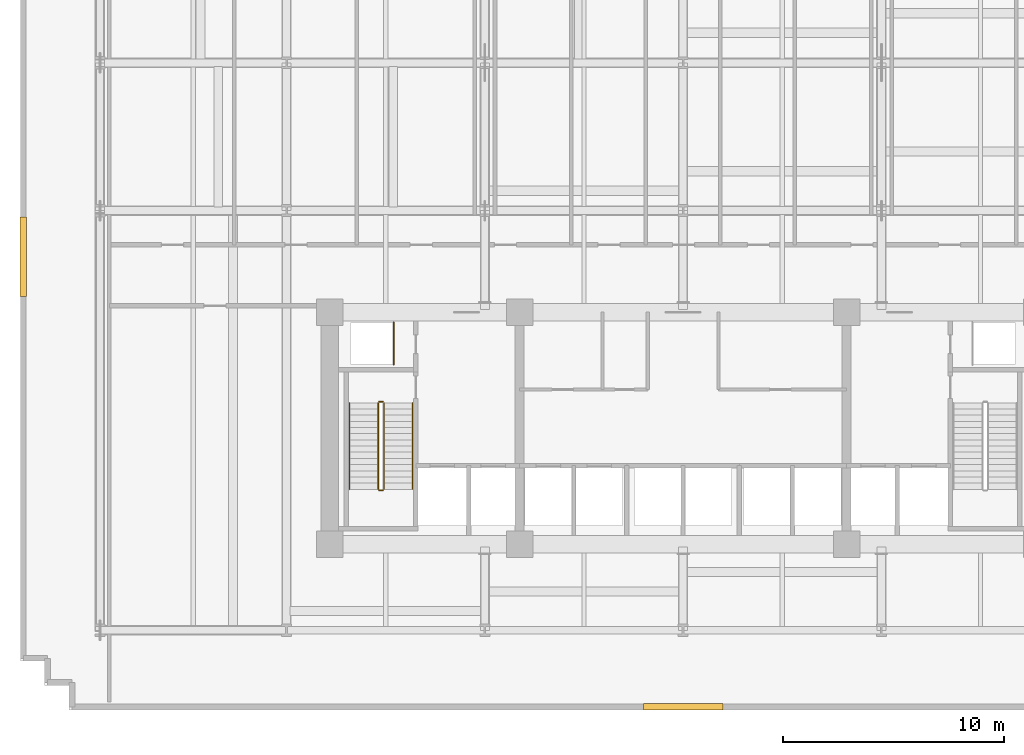
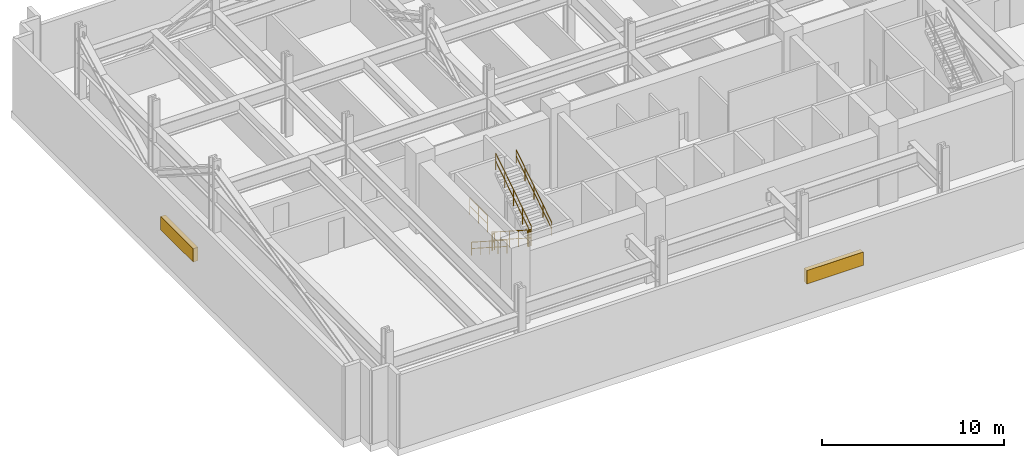
# One storey, part 8 of 9: 7 railings, 2 shading devices.
"""IFC4 building model written with IfcOpenShell, lengths in metres."""

import ifcopenshell
import ifcopenshell.guid

model = None  # the IFC model being written
_history = None  # IfcOwnerHistory: only IFC2X3 demands one
_inside = {}  # id of a spatial element -> (the spatial element, [elements in it])
_under = {}  # id of a project, library or spatial element -> (it, [spatial elements below it])
_declared = {}  # id of a project -> (the project, [libraries it declares])
_typed = {}  # id of a type object -> (the type object, [elements of that type])
_made_of = {}  # id of a material, layer set ... -> (it, [elements and type objects made of it])


def new_model(schema):
    """Start an empty IFC model of exactly this schema.

    Asked for "IFC4X3", IfcOpenShell would pick the latest addendum, in which some entities
    have other attributes; the version numbers below select the first issue.
    IFC2X3 requires an IfcOwnerHistory on every rooted entity: one is made here for all.
    """
    global model, _history
    if schema == "IFC4X3":
        model = ifcopenshell.file(schema_version=(4, 3, 0, 0))
    else:
        model = ifcopenshell.file(schema=schema)
    _inside.clear()
    _under.clear()
    _declared.clear()
    _typed.clear()
    _made_of.clear()
    _history = None
    if model.schema == "IFC2X3":
        org = make("IfcOrganization", Name="unknown")
        user = make(
            "IfcPersonAndOrganization",
            ThePerson=make("IfcPerson", FamilyName="unknown"),
            TheOrganization=org,
        )
        app = make(
            "IfcApplication",
            ApplicationDeveloper=org,
            Version="unknown",
            ApplicationFullName="unknown",
            ApplicationIdentifier="unknown",
        )
        _history = make(
            "IfcOwnerHistory",
            OwningUser=user,
            OwningApplication=app,
            ChangeAction="ADDED",
            CreationDate=0,
        )
    return model


def make(cls, **values):
    """One entity of the class cls with the attributes given. An attribute that is None is left unset."""
    return model.create_entity(
        cls, **{name: value for name, value in values.items() if value is not None}
    )


def rooted(cls, **values):
    """An entity with a GlobalId (a new one), such as an element, a storey or a relation."""
    return make(cls, GlobalId=ifcopenshell.guid.new(), OwnerHistory=_history, **values)


def si_unit(unit_type, name, prefix=None):
    """IfcSIUnit, for example si_unit("LENGTHUNIT", "METRE", prefix="MILLI")."""
    return make("IfcSIUnit", UnitType=unit_type, Prefix=prefix, Name=name)


def assignment(units):
    """IfcUnitAssignment: the units of a project."""
    return None if units is None else make("IfcUnitAssignment", Units=units)


def point(xyz):
    """IfcCartesianPoint."""
    return None if xyz is None else make("IfcCartesianPoint", Coordinates=xyz)


def direction(xyz):
    """IfcDirection."""
    return None if xyz is None else make("IfcDirection", DirectionRatios=xyz)


def frame(location, z_axis=None, x_axis=None):
    """IfcAxis2Placement3D, a coordinate frame: its origin and axes. An axis left out is left unset."""
    return make(
        "IfcAxis2Placement3D",
        Location=point(location),
        Axis=direction(z_axis),
        RefDirection=direction(x_axis),
    )


def frame_2d(location, x_axis=None):
    """IfcAxis2Placement2D, a coordinate frame in the plane: its origin and x axis."""
    return make(
        "IfcAxis2Placement2D", Location=point(location), RefDirection=direction(x_axis)
    )


def origin():
    """The frame at (0, 0, 0) with its axes left unset."""
    return frame((0.0, 0.0, 0.0))


def origin_2d():
    """The frame at (0, 0) in the plane with its x axis left unset."""
    return frame_2d((0.0, 0.0))


def place(relative_to, where):
    """IfcLocalPlacement: puts the frame where relative to a parent placement (None: the world)."""
    return make(
        "IfcLocalPlacement", PlacementRelTo=relative_to, RelativePlacement=where
    )


def context(
    kind, dimensions, precision=None, world=None, true_north=None, identifier=None
):
    """IfcGeometricRepresentationContext, for example the 3D "Model" context."""
    return make(
        "IfcGeometricRepresentationContext",
        ContextIdentifier=identifier,
        ContextType=kind,
        CoordinateSpaceDimension=dimensions,
        Precision=precision,
        WorldCoordinateSystem=world,
        TrueNorth=true_north,
    )


def subcontext(parent, identifier, kind, view, scale=None):
    """IfcGeometricRepresentationSubContext, for example "Body" below "Model"."""
    return make(
        "IfcGeometricRepresentationSubContext",
        ContextIdentifier=identifier,
        ContextType=kind,
        ParentContext=parent,
        TargetScale=scale,
        TargetView=view,
    )


def project(units=None, contexts=None):
    """IfcProject with its units and contexts."""
    return rooted(
        "IfcProject",
        Name="project",
        RepresentationContexts=contexts,
        UnitsInContext=assignment(units),
    )


def spatial(cls, under=None, at=None, **own):
    """A site, building, storey or space (cls), placed at a placement, below another one or the project."""
    s = rooted(cls, ObjectPlacement=at, **own)
    if under is not None:
        _under.setdefault(under.id(), (under, []))[1].append(s)
    return s


def profile(cls, at=None, kind="AREA", **sizes):
    """A parametric profile (cls). Its sizes go by their IFC names, for example OverallWidth=200.0."""
    return make(cls, ProfileType=kind, Position=at, **sizes)


def rectangle(**sizes):
    """IfcRectangleProfileDef."""
    return profile("IfcRectangleProfileDef", **sizes)


def circle(**sizes):
    """IfcCircleProfileDef."""
    return profile("IfcCircleProfileDef", **sizes)


def extrude(swept, where, along, depth):
    """IfcExtrudedAreaSolid: the profile swept, set in the frame where, extruded along a direction by depth."""
    return make(
        "IfcExtrudedAreaSolid",
        SweptArea=swept,
        Position=where,
        ExtrudedDirection=direction(along),
        Depth=depth,
    )


def shape(context_of_items, identifier, shape_type, items):
    """IfcShapeRepresentation: the items that make up one representation, for example the "Body"."""
    return make(
        "IfcShapeRepresentation",
        ContextOfItems=context_of_items,
        RepresentationIdentifier=identifier,
        RepresentationType=shape_type,
        Items=items,
    )


def material(Name=None, Category=None):
    """IfcMaterial."""
    return make("IfcMaterial", Name=Name, Category=Category)


def layer(
    of_material, thickness, ventilated=None, Name=None, Category=None, Priority=None
):
    """IfcMaterialLayer: one layer of a wall or slab, of a material (None: an air gap)."""
    return make(
        "IfcMaterialLayer",
        Material=of_material,
        LayerThickness=thickness,
        IsVentilated=ventilated,
        Name=Name,
        Category=Category,
        Priority=Priority,
    )


def layer_set(layers, Name=None):
    """IfcMaterialLayerSet."""
    return make("IfcMaterialLayerSet", MaterialLayers=layers, LayerSetName=Name)


def made_of(thing, what):
    """Note that an element or type object is made of a material, layer set ...; save() writes the relation."""
    if what is not None:
        _made_of.setdefault(what.id(), (what, []))[1].append(thing)
    return thing


def type_object(cls, material=None, **own):
    """A type object (cls), such as IfcWallType, which elements share."""
    return made_of(rooted(cls, **own), material)


def element(
    cls,
    number,
    at=None,
    inside=None,
    cuts=None,
    type_object=None,
    material=None,
    context=None,
    identifier="Body",
    shape_type=None,
    held_by="IfcProductDefinitionShape",
    body=None,
    shapes=None,
    **own,
):
    """One element of the class cls, such as IfcWall. Its Tag is "e" and its number.

    at: its placement. inside: the storey or other place that contains it. cuts: it is an
    opening in that element (IfcRelVoidsElement). A single representation is given by context,
    identifier, shape_type and body (its items); several are given by shapes. held_by: the class
    of the entity that holds the representations. save() writes the other relations.
    """
    e = rooted(cls, Tag="e%d" % number, ObjectPlacement=at, **own)
    if body is not None:
        shapes = [shape(context, identifier, shape_type, body)]
    if shapes is not None:
        e.Representation = make(held_by, Representations=shapes)
    if inside is not None:
        _inside.setdefault(inside.id(), (inside, []))[1].append(e)
    if cuts is not None:
        rooted(
            "IfcRelVoidsElement", RelatingBuildingElement=cuts, RelatedOpeningElement=e
        )
    if type_object is not None:
        _typed.setdefault(type_object.id(), (type_object, []))[1].append(e)
    return made_of(e, material)


def aggregate(whole, parts):
    """IfcRelAggregates: a whole, such as a stair, and the parts it consists of."""
    return rooted("IfcRelAggregates", RelatingObject=whole, RelatedObjects=parts)


def save(model, path):
    """Write the relations noted so far, then the file.

    IfcRelAggregates (storeys below a building ...), IfcRelContainedInSpatialStructure (elements
    in a storey), IfcRelDefinesByType, IfcRelAssociatesMaterial and IfcRelDeclares: one each for
    every whole, place, type object, material and project.
    """
    for whole, parts in _under.values():
        aggregate(whole, parts)
    for where, things in _inside.values():
        rooted(
            "IfcRelContainedInSpatialStructure",
            RelatedElements=things,
            RelatingStructure=where,
        )
    for kind, things in _typed.values():
        rooted("IfcRelDefinesByType", RelatedObjects=things, RelatingType=kind)
    for what, things in _made_of.values():
        rooted("IfcRelAssociatesMaterial", RelatedObjects=things, RelatingMaterial=what)
    for by, libraries in _declared.values():
        rooted("IfcRelDeclares", RelatingContext=by, RelatedDefinitions=libraries)
    model.write(path)


model = new_model("IFC4")

# Units and contexts
model_context = context("Model", 3, precision=1e-05, world=origin(), true_north=direction((0.0, 1.0)))
body_context = subcontext(model_context, "Body", "Model", "MODEL_VIEW")
ifc_project = project(units=[si_unit("LENGTHUNIT", "METRE"), si_unit("AREAUNIT", "SQUARE_METRE"), si_unit("VOLUMEUNIT", "CUBIC_METRE"), si_unit("PLANEANGLEUNIT", "RADIAN"), si_unit("MASSUNIT", "GRAM", prefix="KILO")], contexts=[model_context])

# Site, building, storey
site_placement = place(None, origin())
site = spatial("IfcSite", under=ifc_project, at=site_placement, CompositionType="ELEMENT")
building_placement = place(site_placement, origin())
building = spatial("IfcBuilding", under=site, at=building_placement, Name="Solmavex Isthmus Hotel", CompositionType="ELEMENT")
storey_placement = place(building_placement, frame((0.0, 0.0, 74.699951171875)))
storey = spatial("IfcBuildingStorey", under=building, at=storey_placement, Name="L20", CompositionType="ELEMENT", Elevation=74.699951171875)

# Railings
ifc_material_1 = material(Name="Clear low-E laminated glass", Category="glass")
ifc_layer_1 = layer(ifc_material_1, 0.080078125)
ifc_layer_set_1 = layer_set([ifc_layer_1], Name="Clear low-E laminated glass")
railing_type_1 = type_object("IfcRailingType", Name="RAIL-ATRIUM-1120", PredefinedType="BALUSTRADE", material=ifc_layer_set_1)
railing_1_placement = place(storey_placement, frame((-13.10009765625, -4.89990234375, 0.0)))
element("IfcRailing", 1, at=railing_1_placement, inside=storey, type_object=railing_type_1, Name="Guardrail Balustrade L20-RSW-01", PredefinedType="BALUSTRADE", context=body_context, shape_type="SweptSolid", body=[
    extrude(circle(Radius=0.02392578125, at=origin_2d()), frame((0.0, 0.0, 1.1259765625), z_axis=(0.0, 1.0, 0.0), x_axis=(-1.0, 0.0, 0.0)), (0.0, 0.0, 1.0), 1.949951171875),
    extrude(circle(Radius=0.02392578125, at=origin_2d()), frame((0.0, 0.0, 0.574951171875), z_axis=(0.0, 1.0, 0.0), x_axis=(-1.0, 0.0, 0.0)), (0.0, 0.0, 1.0), 1.949951171875),
    extrude(circle(Radius=0.02099609375, at=origin_2d()), origin(), (0.0, 0.0, 1.0), 1.101806640625),
    extrude(circle(Radius=0.02099609375, at=origin_2d()), frame((0.0, 0.97509765625, 0.0)), (0.0, 0.0, 1.0), 1.101806640625),
    extrude(circle(Radius=0.02099609375, at=origin_2d()), frame((0.0, 1.949951171875, 0.0)), (0.0, 0.0, 1.0), 1.101806640625),
])
ifc_material_2 = material(Name="Stainless steel 316", Category="steel")
ifc_layer_2 = layer(ifc_material_2, 0.06005859375)
ifc_layer_set_2 = layer_set([ifc_layer_2], Name="Stainless steel 316")
railing_type_2 = type_object("IfcRailingType", Name="RAIL-STAIR-GD", PredefinedType="GUARDRAIL", material=ifc_layer_set_2)
railing_2_placement = place(storey_placement, frame((-13.800048828125, -6.60009765625, 0.179931640625)))
element("IfcRailing", 2, at=railing_2_placement, inside=storey, type_object=railing_type_2, Name="L20 ST-1 stair guard 1", PredefinedType="GUARDRAIL", context=body_context, shape_type="SweptSolid", body=[
    extrude(circle(Radius=0.02392578125, at=origin_2d()), frame((0.0, 0.0, 1.09619140625), z_axis=(0.0, -0.841171666519, 0.540768182723), x_axis=(1.0, 0.0, 0.0)), (0.0, 0.0, 1.0), 4.66015625),
    extrude(circle(Radius=0.02392578125, at=origin_2d()), frame((0.0, 0.0, 0.56005859375), z_axis=(0.0, -0.841171666519, 0.540768182723), x_axis=(1.0, 0.0, 0.0)), (0.0, 0.0, 1.0), 4.66015625),
    extrude(circle(Radius=0.02099609375, at=origin_2d()), origin(), (0.0, 0.0, 1.0), 1.072021484375),
    extrude(circle(Radius=0.02099609375, at=origin_2d()), frame((0.0, -0.97998046875, 0.6298828125)), (0.0, 0.0, 1.0), 1.072021484375),
    extrude(circle(Radius=0.02099609375, at=origin_2d()), frame((0.0, -1.9599609375, 1.260009765625)), (0.0, 0.0, 1.0), 1.072021484375),
    extrude(circle(Radius=0.02099609375, at=origin_2d()), frame((0.0, -2.93994140625, 1.89013671875)), (0.0, 0.0, 1.0), 1.072021484375),
    extrude(circle(Radius=0.02099609375, at=origin_2d()), frame((0.0, -3.919921875, 2.52001953125)), (0.0, 0.0, 1.0), 1.072021484375),
])
railing_3_placement = place(storey_placement, frame((-13.75, -10.570068359375, 2.699951171875)))
element("IfcRailing", 3, at=railing_3_placement, inside=storey, type_object=railing_type_2, Name="L20 ST-1 stair guard 2", PredefinedType="GUARDRAIL", context=body_context, shape_type="SweptSolid", body=[
    extrude(circle(Radius=0.02392578125, at=origin_2d()), frame((0.0, 0.0, 1.09619140625), z_axis=(1.0, 0.0, 0.0), x_axis=(0.0, 1.0, 0.0)), (0.0, 0.0, 1.0), 0.14990234375),
    extrude(circle(Radius=0.02392578125, at=origin_2d()), frame((0.0, 0.0, 0.56005859375), z_axis=(1.0, 0.0, 0.0), x_axis=(0.0, 1.0, 0.0)), (0.0, 0.0, 1.0), 0.14990234375),
    extrude(circle(Radius=0.02099609375, at=origin_2d()), origin(), (0.0, 0.0, 1.0), 1.072021484375),
    extrude(circle(Radius=0.02099609375, at=origin_2d()), frame((0.14990234375, 0.0, 0.0)), (0.0, 0.0, 1.0), 1.072021484375),
])
railing_4_placement = place(storey_placement, frame((-13.550048828125, -10.52001953125, 2.880126953125)))
element("IfcRailing", 4, at=railing_4_placement, inside=storey, type_object=railing_type_2, Name="L20 ST-1 stair guard 3", PredefinedType="GUARDRAIL", context=body_context, shape_type="SweptSolid", body=[
    extrude(circle(Radius=0.02392578125, at=origin_2d()), frame((0.0, 0.0, 1.09619140625), z_axis=(0.0, 0.841171666519, 0.540768182723), x_axis=(-1.0, 0.0, 0.0)), (0.0, 0.0, 1.0), 4.66015625),
    extrude(circle(Radius=0.02392578125, at=origin_2d()), frame((0.0, 0.0, 0.56005859375), z_axis=(0.0, 0.841171666519, 0.540768182723), x_axis=(-1.0, 0.0, 0.0)), (0.0, 0.0, 1.0), 4.66015625),
    extrude(circle(Radius=0.02099609375, at=origin_2d()), origin(), (0.0, 0.0, 1.0), 1.072021484375),
    extrude(circle(Radius=0.02099609375, at=origin_2d()), frame((0.0, 0.97998046875, 0.6298828125)), (0.0, 0.0, 1.0), 1.072021484375),
    extrude(circle(Radius=0.02099609375, at=origin_2d()), frame((0.0, 1.9599609375, 1.260009765625)), (0.0, 0.0, 1.0), 1.072021484375),
    extrude(circle(Radius=0.02099609375, at=origin_2d()), frame((0.0, 2.93994140625, 1.89013671875)), (0.0, 0.0, 1.0), 1.072021484375),
    extrude(circle(Radius=0.02099609375, at=origin_2d()), frame((0.0, 3.919921875, 2.52001953125)), (0.0, 0.0, 1.0), 1.072021484375),
])
railing_5_placement = place(storey_placement, frame((-13.75, -6.550048828125, 0.0)))
element("IfcRailing", 5, at=railing_5_placement, inside=storey, type_object=railing_type_2, Name="L20 ST-1 stair guard 4", PredefinedType="GUARDRAIL", context=body_context, shape_type="SweptSolid", body=[
    extrude(circle(Radius=0.02392578125, at=origin_2d()), frame((0.0, 0.0, 1.09619140625), z_axis=(1.0, 0.0, 0.0), x_axis=(0.0, 1.0, 0.0)), (0.0, 0.0, 1.0), 0.14990234375),
    extrude(circle(Radius=0.02392578125, at=origin_2d()), frame((0.0, 0.0, 0.56005859375), z_axis=(1.0, 0.0, 0.0), x_axis=(0.0, 1.0, 0.0)), (0.0, 0.0, 1.0), 0.14990234375),
    extrude(circle(Radius=0.02099609375, at=origin_2d()), origin(), (0.0, 0.0, 1.0), 1.072021484375),
    extrude(circle(Radius=0.02099609375, at=origin_2d()), frame((0.14990234375, 0.0, 0.0)), (0.0, 0.0, 1.0), 1.072021484375),
])
ifc_layer_3 = layer(ifc_material_2, 0.050048828125)
ifc_layer_set_3 = layer_set([ifc_layer_3], Name="Stainless steel 316")
railing_type_3 = type_object("IfcRailingType", Name="RAIL-STAIR-HR", PredefinedType="HANDRAIL", material=ifc_layer_set_3)
railing_6_placement = place(storey_placement, frame((-15.10009765625, -6.60009765625, 0.179931640625)))
element("IfcRailing", 6, at=railing_6_placement, inside=storey, type_object=railing_type_3, Name="L20 ST-1 stair handrail 1", PredefinedType="HANDRAIL", context=body_context, shape_type="SweptSolid", body=[
    extrude(circle(Radius=0.02392578125, at=origin_2d()), frame((0.0, 0.0, 0.8759765625), z_axis=(0.0, -0.841171666519, 0.540768182723), x_axis=(1.0, 0.0, 0.0)), (0.0, 0.0, 1.0), 4.66015625),
    extrude(circle(Radius=0.02392578125, at=origin_2d()), frame((0.0, 0.0, 0.449951171875), z_axis=(0.0, -0.841171666519, 0.540768182723), x_axis=(1.0, 0.0, 0.0)), (0.0, 0.0, 1.0), 4.66015625),
    extrude(circle(Radius=0.02099609375, at=origin_2d()), origin(), (0.0, 0.0, 1.0), 0.851806640625),
    extrude(circle(Radius=0.02099609375, at=origin_2d()), frame((0.0, -0.97998046875, 0.6298828125)), (0.0, 0.0, 1.0), 0.851806640625),
    extrude(circle(Radius=0.02099609375, at=origin_2d()), frame((0.0, -1.9599609375, 1.260009765625)), (0.0, 0.0, 1.0), 0.851806640625),
    extrude(circle(Radius=0.02099609375, at=origin_2d()), frame((0.0, -2.93994140625, 1.89013671875)), (0.0, 0.0, 1.0), 0.851806640625),
    extrude(circle(Radius=0.02099609375, at=origin_2d()), frame((0.0, -3.919921875, 2.52001953125)), (0.0, 0.0, 1.0), 0.851806640625),
])
railing_7_placement = place(storey_placement, frame((-12.25, -10.52001953125, 2.880126953125)))
element("IfcRailing", 7, at=railing_7_placement, inside=storey, type_object=railing_type_3, Name="L20 ST-1 stair handrail 2", PredefinedType="HANDRAIL", context=body_context, shape_type="SweptSolid", body=[
    extrude(circle(Radius=0.02392578125, at=origin_2d()), frame((0.0, 0.0, 0.8759765625), z_axis=(0.0, 0.841171666519, 0.540768182723), x_axis=(-1.0, 0.0, 0.0)), (0.0, 0.0, 1.0), 4.66015625),
    extrude(circle(Radius=0.02392578125, at=origin_2d()), frame((0.0, 0.0, 0.449951171875), z_axis=(0.0, 0.841171666519, 0.540768182723), x_axis=(-1.0, 0.0, 0.0)), (0.0, 0.0, 1.0), 4.66015625),
    extrude(circle(Radius=0.02099609375, at=origin_2d()), origin(), (0.0, 0.0, 1.0), 0.851806640625),
    extrude(circle(Radius=0.02099609375, at=origin_2d()), frame((0.0, 0.97998046875, 0.6298828125)), (0.0, 0.0, 1.0), 0.851806640625),
    extrude(circle(Radius=0.02099609375, at=origin_2d()), frame((0.0, 1.9599609375, 1.260009765625)), (0.0, 0.0, 1.0), 0.851806640625),
    extrude(circle(Radius=0.02099609375, at=origin_2d()), frame((0.0, 2.93994140625, 1.89013671875)), (0.0, 0.0, 1.0), 0.851806640625),
    extrude(circle(Radius=0.02099609375, at=origin_2d()), frame((0.0, 3.919921875, 2.52001953125)), (0.0, 0.0, 1.0), 0.851806640625),
])

# Shading devices
ifc_material_3 = material(Name="Aluminium alloy 6063-T6", Category="aluminium")
shading_device_type = type_object("IfcShadingDeviceType", Name="SHD-LOUVRE-BOX", PredefinedType="JALOUSIE", material=ifc_material_3)
for number, where, z_axis, x_axis, name in (
    (8, (0.0, -20.3701171875, 2.025146484375), (0.0, 0.0, 1.0), (-1.0, 0.0, 0.0), "Acoustic Intake Louvre Screen L20-01"),
    (9, (-29.8701171875, 0.0, 2.025146484375), (0.0, 0.0, 1.0), (0.0, 1.0, 0.0), "Acoustic Intake Louvre Screen L20-06"),
):
    element("IfcShadingDevice", number, at=place(storey_placement, frame(where, z_axis=z_axis, x_axis=x_axis)), inside=storey, type_object=shading_device_type, Name=name, PredefinedType="JALOUSIE", context=body_context, shape_type="SweptSolid", body=[
        extrude(rectangle(XDim=3.60009765625, YDim=0.300048828125, at=origin_2d()), origin(), (0.0, 0.0, 1.0), 0.89990234375),
    ])

save(model, "model.ifc")
